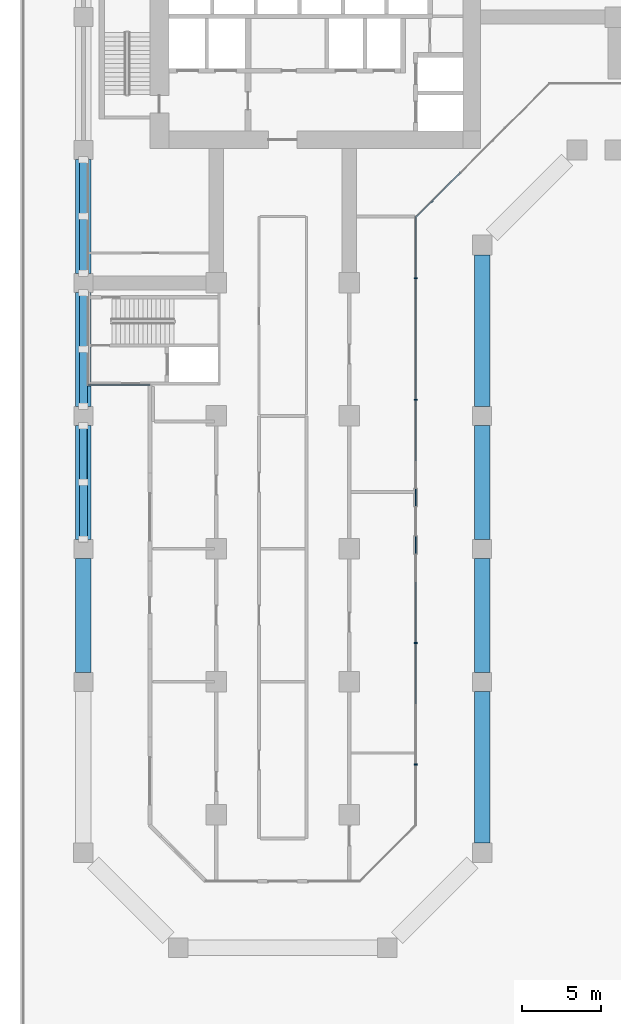
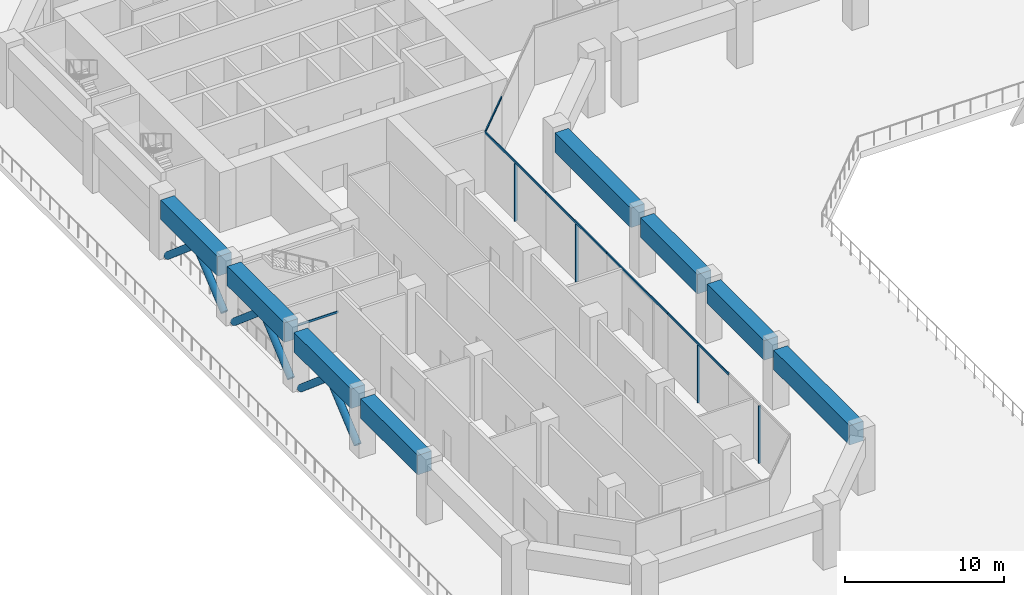
# One storey, part 2 of 19: 16 members, 8 beams, 3 elements without a shape of their own.
"""IFC4 building model written with IfcOpenShell, lengths in metres."""

from ifc_helpers import new_model, si_unit, direction, frame, origin, origin_2d, place, context, subcontext, project, spatial, rectangle, hollow_circle, extrude, material, layer, layer_set, material_profile, profile_set, type_object, element, aggregate, save


model = new_model("IFC4")

# Units and contexts
model_context = context("Model", 3, precision=1e-05, world=origin(), true_north=direction((0.0, 1.0)))
body_context = subcontext(model_context, "Body", "Model", "MODEL_VIEW")
ifc_project = project(units=[si_unit("LENGTHUNIT", "METRE"), si_unit("AREAUNIT", "SQUARE_METRE"), si_unit("VOLUMEUNIT", "CUBIC_METRE"), si_unit("PLANEANGLEUNIT", "RADIAN"), si_unit("MASSUNIT", "GRAM", prefix="KILO")], contexts=[model_context])

# Site, building, storey
site_placement = place(None, origin())
site = spatial("IfcSite", under=ifc_project, at=site_placement, CompositionType="ELEMENT")
building_placement = place(site_placement, origin())
building = spatial("IfcBuilding", under=site, at=building_placement, Name="Kawkab Arch Medical Tower", CompositionType="ELEMENT")
storey_placement = place(building_placement, frame((0.0, 0.0, 34.199951171875)))
storey = spatial("IfcBuildingStorey", under=building, at=storey_placement, Name="L07", CompositionType="ELEMENT", Elevation=34.199951171875)

# Members
ifc_material_1 = material(Name="Steel S355", Category="steel")
ifc_material_profile_1 = material_profile(ifc_material_1, hollow_circle(Radius=0.25390625, WallThickness=0.02490234375, at=origin_2d()), Name="CHS 508x25")
ifc_profile_set_1 = profile_set([ifc_material_profile_1], Name="Steel S355")
member_type_1 = type_object("IfcMemberType", Name="CHS 508x25 belt truss brace S355", PredefinedType="BRACE", material=ifc_profile_set_1)
for number, where, z_axis, x_axis, name in (
    (1, (0.0, -49.78466796875, 0.143310546875), (0.0, 0.762868613772, 0.646553538481), (-1.0, 0.0, 0.0), "Belt truss brace L07-W04A"),
    (2, (0.0, -42.615234375, 0.143310546875), (0.0, -0.762868613772, 0.646553538481), (1.0, 0.0, 0.0), "Belt truss brace L07-W04B"),
    (3, (0.0, -41.384765625, 0.143310546875), (0.0, 0.762868613772, 0.646553538481), (-1.0, 0.0, 0.0), "Belt truss brace L07-W05A"),
    (4, (0.0, -34.21533203125, 0.143310546875), (0.0, -0.762868613772, 0.646553538481), (1.0, 0.0, 0.0), "Belt truss brace L07-W05B"),
    (5, (0.0, -32.984619140625, 0.143310546875), (0.0, 0.762846847317, 0.646579219847), (-1.0, 0.0, 0.0), "Belt truss brace L07-W06A"),
    (6, (0.0, -25.815185546875, 0.143310546875), (0.0, -0.762868613772, 0.646553538481), (1.0, 0.0, 0.0), "Belt truss brace L07-W06B"),
):
    element("IfcMember", number, at=place(storey_placement, frame(where, z_axis=z_axis, x_axis=x_axis)), inside=storey, type_object=member_type_1, Name=name, PredefinedType="BRACE", context=body_context, shape_type="SweptSolid", body=[
        extrude(hollow_circle(Radius=0.25390625, WallThickness=0.02490234375, at=origin_2d()), origin(), (0.0, 0.0, 1.0), 4.68896484375),
    ])

# Curtain wall, members
ifc_material_2 = material(Name="Bronze anodised aluminium curtain wall frame", Category="aluminium")
ifc_layer = layer(ifc_material_2, 0.159912109375)
ifc_layer_set = layer_set([ifc_layer], Name="Bronze anodised aluminium curtain wall frame")
curtain_wall_type = type_object("IfcCurtainWallType", Name="CW4 refuge floor fire-protected glazing", PredefinedType="NOTDEFINED", material=ifc_layer_set)
placement = place(storey_placement, origin())
curtain_wall_1 = element("IfcCurtainWall", 7, at=placement, inside=storey, type_object=curtain_wall_type, Name="CW4 Refuge floor fire-protected glazing R09", PredefinedType="NOTDEFINED")
ifc_material_3 = material(Name="Bronze anodised aluminium curtain wall frame", Category="aluminium")
ifc_material_profile_2 = material_profile(ifc_material_3, rectangle(XDim=0.199951171875, YDim=0.080078125, at=origin_2d()), Name="AL 80x200")
ifc_profile_set_2 = profile_set([ifc_material_profile_2], Name="Bronze anodised aluminium curtain wall frame")
member_type_2 = type_object("IfcMemberType", Name="CW4 mullion 80 x 200", PredefinedType="MULLION", material=ifc_profile_set_2)
member_1_placement = place(storey_placement, frame((21.0, -64.02001953125, 0.0), z_axis=(0.0, 0.0, 1.0), x_axis=(-1.0, 0.0, 0.0)))
member_1 = element("IfcMember", 8, at=member_1_placement, type_object=member_type_2, Name="CW4 mullion 1.1", PredefinedType="MULLION", context=body_context, shape_type="SweptSolid", body=[
    extrude(rectangle(XDim=0.199951171875, YDim=0.080078125, at=origin_2d()), origin(), (0.0, 0.0, 1.0), 4.420166015625),
])
member_2_placement = place(storey_placement, frame((21.0, -56.340087890625, 0.0), z_axis=(0.0, 0.0, 1.0), x_axis=(-1.0, 0.0, 0.0)))
member_2 = element("IfcMember", 9, at=member_2_placement, type_object=member_type_2, Name="CW4 mullion 2.1", PredefinedType="MULLION", context=body_context, shape_type="SweptSolid", body=[
    extrude(rectangle(XDim=0.199951171875, YDim=0.080078125, at=origin_2d()), origin(), (0.0, 0.0, 1.0), 4.420166015625),
])
member_3_placement = place(storey_placement, frame((21.0, -40.97998046875, 0.0), z_axis=(0.0, 0.0, 1.0), x_axis=(-1.0, 0.0, 0.0)))
member_3 = element("IfcMember", 10, at=member_3_placement, type_object=member_type_2, Name="CW4 mullion 4.1", PredefinedType="MULLION", context=body_context, shape_type="SweptSolid", body=[
    extrude(rectangle(XDim=0.199951171875, YDim=0.080078125, at=origin_2d()), origin(), (0.0, 0.0, 1.0), 4.420166015625),
])
member_4_placement = place(storey_placement, frame((21.0, -33.300048828125, 0.0), z_axis=(0.0, 0.0, 1.0), x_axis=(-1.0, 0.0, 0.0)))
member_4 = element("IfcMember", 11, at=member_4_placement, type_object=member_type_2, Name="CW4 mullion 5.1", PredefinedType="MULLION", context=body_context, shape_type="SweptSolid", body=[
    extrude(rectangle(XDim=0.199951171875, YDim=0.080078125, at=origin_2d()), origin(), (0.0, 0.0, 1.0), 4.420166015625),
])

# Curtain wall, member
curtain_wall_2 = element("IfcCurtainWall", 12, at=placement, inside=storey, type_object=curtain_wall_type, Name="CW4 Refuge floor fire-protected glazing R04", PredefinedType="NOTDEFINED")
ifc_material_4 = material(Name="Bronze anodised aluminium curtain wall frame", Category="aluminium")
ifc_material_profile_3 = material_profile(ifc_material_4, rectangle(XDim=0.080078125, YDim=0.159912109375, at=origin_2d()), Name="AL 80x160")
ifc_profile_set_3 = profile_set([ifc_material_profile_3], Name="Bronze anodised aluminium curtain wall frame")
member_type_3 = type_object("IfcMemberType", Name="CW4 transom 160 x 80", PredefinedType="USERDEFINED", material=ifc_profile_set_3)
member_5_placement = place(storey_placement, frame((0.300048828125, -40.050048828125, 3.0), z_axis=(1.0, 0.0, 0.0), x_axis=(0.0, 1.0, 0.0)))
member_5 = element("IfcMember", 13, at=member_5_placement, type_object=member_type_3, Name="CW4 transom 1", ObjectType="TRANSOM", PredefinedType="USERDEFINED", context=body_context, shape_type="SweptSolid", body=[
    extrude(rectangle(XDim=0.080078125, YDim=0.159912109375, at=origin_2d()), origin(), (0.0, 0.0, 1.0), 3.89990234375),
])
aggregate(curtain_wall_2, [member_5])

# Member
member_6_placement = place(storey_placement, frame((21.0, -60.179931640625, 4.5), z_axis=(0.0, 1.0, 0.0), x_axis=(-1.0, 0.0, 0.0)))
member_6 = element("IfcMember", 14, at=member_6_placement, type_object=member_type_3, Name="CW4 transom 2", ObjectType="TRANSOM", PredefinedType="USERDEFINED", context=body_context, shape_type="SweptSolid", body=[
    extrude(rectangle(XDim=0.080078125, YDim=0.159912109375, at=origin_2d()), origin(), (0.0, 0.0, 1.0), 7.679931640625),
])

member_7_placement = place(storey_placement, frame((21.0, -52.5, 4.5), z_axis=(0.0, 1.0, 0.0), x_axis=(-1.0, 0.0, 0.0)))
member_7 = element("IfcMember", 15, at=member_7_placement, type_object=member_type_3, Name="CW4 transom 3", ObjectType="TRANSOM", PredefinedType="USERDEFINED", context=body_context, shape_type="SweptSolid", body=[
    extrude(rectangle(XDim=0.080078125, YDim=0.159912109375, at=origin_2d()), origin(), (0.0, 0.0, 1.0), 7.679931640625),
])

member_8_placement = place(storey_placement, frame((21.0, -44.820068359375, 4.5), z_axis=(0.0, 1.0, 0.0), x_axis=(-1.0, 0.0, 0.0)))
member_8 = element("IfcMember", 16, at=member_8_placement, type_object=member_type_3, Name="CW4 transom 4", ObjectType="TRANSOM", PredefinedType="USERDEFINED", context=body_context, shape_type="SweptSolid", body=[
    extrude(rectangle(XDim=0.080078125, YDim=0.159912109375, at=origin_2d()), origin(), (0.0, 0.0, 1.0), 7.68017578125),
])

member_9_placement = place(storey_placement, frame((21.0, -37.139892578125, 4.5), z_axis=(0.0, 1.0, 0.0), x_axis=(-1.0, 0.0, 0.0)))
member_9 = element("IfcMember", 17, at=member_9_placement, type_object=member_type_3, Name="CW4 transom 5", ObjectType="TRANSOM", PredefinedType="USERDEFINED", context=body_context, shape_type="SweptSolid", body=[
    extrude(rectangle(XDim=0.080078125, YDim=0.159912109375, at=origin_2d()), origin(), (0.0, 0.0, 1.0), 7.679931640625),
])

aggregate(curtain_wall_1, [member_1, member_6, member_2, member_7, member_8, member_3, member_9, member_4])

# Curtain wall, member
curtain_wall_3 = element("IfcCurtainWall", 18, at=placement, inside=storey, type_object=curtain_wall_type, Name="CW4 Refuge floor fire-protected glazing R10", PredefinedType="NOTDEFINED")
member_10_placement = place(storey_placement, frame((21.0, -29.4599609375, 4.5), z_axis=(0.707106781187, 0.707106781187, 0.0), x_axis=(-0.707106781187, 0.707106781187, 0.0)))
member_10 = element("IfcMember", 19, at=member_10_placement, type_object=member_type_3, Name="CW4 transom 1", ObjectType="TRANSOM", PredefinedType="USERDEFINED", context=body_context, shape_type="SweptSolid", body=[
    extrude(rectangle(XDim=0.080078125, YDim=0.159912109375, at=origin_2d()), origin(), (0.0, 0.0, 1.0), 3.98828125),
])
aggregate(curtain_wall_3, [member_10])

# Beams
ifc_material_5 = material(Name="Concrete C60/75", Category="concrete")
ifc_material_profile_4 = material_profile(ifc_material_5, rectangle(XDim=1.0, YDim=1.5, at=origin_2d()), Name="RC 1000x1500")
ifc_profile_set_4 = profile_set([ifc_material_profile_4], Name="Concrete C60/75")
beam_type = type_object("IfcBeamType", Name="RC 1000x1500 beam C60/75", PredefinedType="SPANDREL", material=ifc_profile_set_4)
beam_1_placement = place(storey_placement, frame((25.199951171875, -31.824951171875, 3.830078125), z_axis=(0.0, -1.0, 0.0), x_axis=(1.0, 0.0, 0.0)))
element("IfcBeam", 20, at=beam_1_placement, inside=storey, type_object=beam_type, Name="Belt beam L07-20", PredefinedType="SPANDREL", context=body_context, shape_type="SweptSolid", body=[
    extrude(rectangle(XDim=1.0, YDim=1.5, at=origin_2d()), origin(), (0.0, 0.0, 1.0), 9.574951171875),
])
for number, where, z_axis, x_axis, name in (
    (21, (25.199951171875, -42.60009765625, 3.830078125), (0.0, -1.0, 0.0), (1.0, 0.0, 0.0), "Belt beam L07-21"),
    (22, (25.199951171875, -51.0, 3.830078125), (0.0, -1.0, 0.0), (1.0, 0.0, 0.0), "Belt beam L07-22"),
):
    element("IfcBeam", number, at=place(storey_placement, frame(where, z_axis=z_axis, x_axis=x_axis)), inside=storey, type_object=beam_type, Name=name, PredefinedType="SPANDREL", context=body_context, shape_type="SweptSolid", body=[
        extrude(rectangle(XDim=1.0, YDim=1.5, at=origin_2d()), origin(), (0.0, 0.0, 1.0), 7.199951171875),
    ])
beam_2_placement = place(storey_placement, frame((25.199951171875, -59.39990234375, 3.830078125), z_axis=(0.0, -1.0, 0.0), x_axis=(1.0, 0.0, 0.0)))
element("IfcBeam", 23, at=beam_2_placement, inside=storey, type_object=beam_type, Name="Belt beam L07-23", PredefinedType="SPANDREL", context=body_context, shape_type="SweptSolid", body=[
    extrude(rectangle(XDim=1.0, YDim=1.5, at=origin_2d()), origin(), (0.0, 0.0, 1.0), 9.5751953125),
])
for number, where, z_axis, x_axis, name in (
    (24, (0.0, -58.199951171875, 3.830078125), (0.0, 1.0, 0.0), (-1.0, 0.0, 0.0), "Belt beam L07-28"),
    (25, (0.0, -49.800048828125, 3.830078125), (0.0, 1.0, 0.0), (-1.0, 0.0, 0.0), "Belt beam L07-29"),
    (26, (0.0, -41.39990234375, 3.830078125), (0.0, 1.0, 0.0), (-1.0, 0.0, 0.0), "Belt beam L07-30"),
    (27, (0.0, -33.0, 3.830078125), (0.0, 1.0, 0.0), (-1.0, 0.0, 0.0), "Belt beam L07-31"),
):
    element("IfcBeam", number, at=place(storey_placement, frame(where, z_axis=z_axis, x_axis=x_axis)), inside=storey, type_object=beam_type, Name=name, PredefinedType="SPANDREL", context=body_context, shape_type="SweptSolid", body=[
        extrude(rectangle(XDim=1.0, YDim=1.5, at=origin_2d()), origin(), (0.0, 0.0, 1.0), 7.199951171875),
    ])

save(model, "model.ifc")
